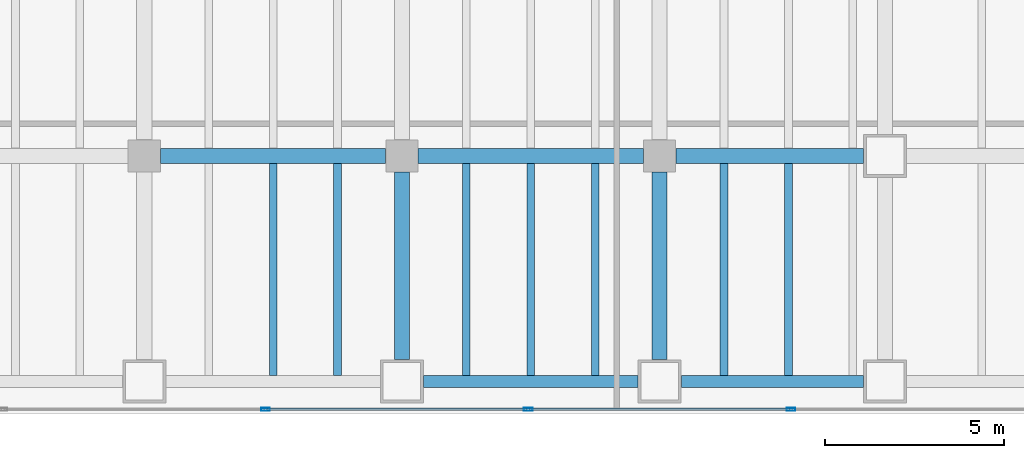
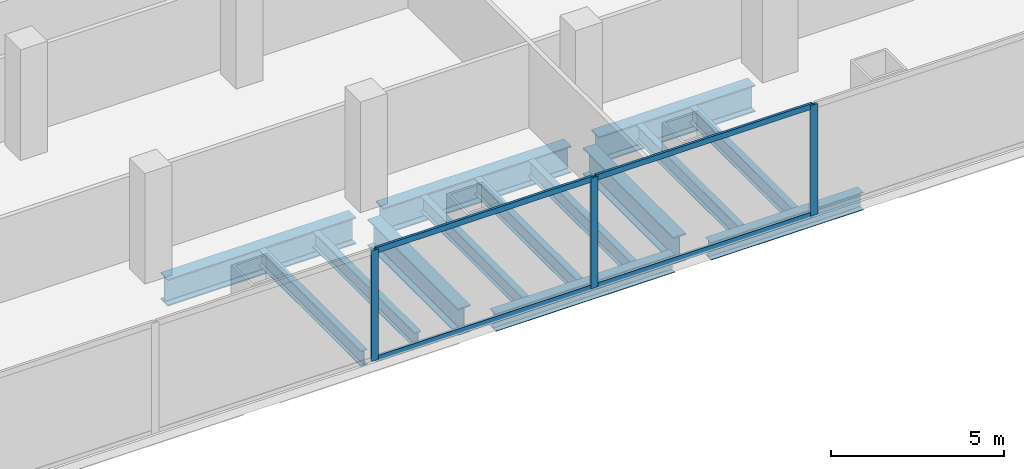
# One storey, part 5 of 29: 14 beams, 7 members, 1 element without a shape of its own.
"""IFC4 building model written with IfcOpenShell, lengths in metres."""

from ifc_helpers import new_model, si_unit, direction, frame, origin, origin_2d, place, context, subcontext, project, spatial, hollow_rectangle, i_section, extrude, material, material_profile, profile_set, type_object, element, aggregate, save


model = new_model("IFC4")

# Units and contexts
model_context = context("Model", 3, precision=1e-05, world=origin(), true_north=direction((0.0, 1.0)))
body_context = subcontext(model_context, "Body", "Model", "MODEL_VIEW")
ifc_project = project(units=[si_unit("LENGTHUNIT", "METRE"), si_unit("AREAUNIT", "SQUARE_METRE"), si_unit("VOLUMEUNIT", "CUBIC_METRE"), si_unit("PLANEANGLEUNIT", "RADIAN"), si_unit("MASSUNIT", "GRAM", prefix="KILO")], contexts=[model_context])

# Site, building, storey
site_placement = place(None, origin())
site = spatial("IfcSite", under=ifc_project, at=site_placement, CompositionType="ELEMENT")
building_placement = place(site_placement, origin())
building = spatial("IfcBuilding", under=site, at=building_placement, Name="Cobrela Telecom Tower", CompositionType="ELEMENT")
storey_placement = place(building_placement, frame((0.0, 0.0, 13.64990234375)))
storey = spatial("IfcBuildingStorey", under=building, at=storey_placement, Name="L03", CompositionType="ELEMENT", Elevation=13.64990234375)

# Beams
ifc_material_1 = material(Name="Steel ASTM A992 Grade 50", Category="steel")
ifc_material_profile_1 = material_profile(ifc_material_1, i_section(OverallWidth=0.424072265625, OverallDepth=0.947021484375, WebThickness=0.02392578125, FlangeThickness=0.042724609375, FilletRadius=0.02392578125, at=origin_2d()), Name="W36X302")
ifc_profile_set_1 = profile_set([ifc_material_profile_1], Name="Steel ASTM A992 Grade 50")
beam_type_1 = type_object("IfcBeamType", Name="BM-GIRD-01", PredefinedType="USERDEFINED", material=ifc_profile_set_1)
for number, where, z_axis, x_axis, name in (
    (1, (29.2548828125, 7.199951171875, -0.7734375), (1.0, 0.0, 0.0), (0.0, 1.0, 0.0), "L03 Primary Girder X13"),
    (2, (36.455078125, 7.199951171875, -0.7734375), (1.0, 0.0, 0.0), (0.0, 1.0, 0.0), "L03 Primary Girder X14"),
):
    element("IfcBeam", number, at=place(storey_placement, frame(where, z_axis=z_axis, x_axis=x_axis)), inside=storey, type_object=beam_type_1, Name=name, ObjectType="GIRDER", PredefinedType="USERDEFINED", context=body_context, shape_type="SweptSolid", body=[
        extrude(i_section(OverallWidth=0.424072265625, OverallDepth=0.947021484375, WebThickness=0.02392578125, FlangeThickness=0.042724609375, FilletRadius=0.02392578125, at=origin_2d()), origin(), (0.0, 0.0, 1.0), 6.2900390625),
    ])
beam_1_placement = place(storey_placement, frame((43.655029296875, 7.199951171875, -0.7734375), z_axis=(1.0, 0.0, 0.0), x_axis=(0.0, 1.0, 0.0)))
element("IfcBeam", 3, at=beam_1_placement, inside=storey, type_object=beam_type_1, Name="L03 Primary Girder X15", ObjectType="GIRDER", PredefinedType="USERDEFINED", context=body_context, shape_type="SweptSolid", body=[
    extrude(i_section(OverallWidth=0.424072265625, OverallDepth=0.947021484375, WebThickness=0.02392578125, FlangeThickness=0.042724609375, FilletRadius=0.02392578125, at=origin_2d()), origin(), (0.0, 0.0, 1.0), 5.239990234375),
])
for number, where, z_axis, x_axis, name in (
    (4, (36.0, 1.5048828125, -0.7734375), (0.0, 1.0, 0.0), (-1.0, 0.0, 0.0), "L03 Primary Girder Y71"),
    (5, (43.199951171875, 1.5048828125, -0.7734375), (0.0, 1.0, 0.0), (-1.0, 0.0, 0.0), "L03 Primary Girder Y78"),
):
    element("IfcBeam", number, at=place(storey_placement, frame(where, z_axis=z_axis, x_axis=x_axis)), inside=storey, type_object=beam_type_1, Name=name, ObjectType="GIRDER", PredefinedType="USERDEFINED", context=body_context, shape_type="SweptSolid", body=[
        extrude(i_section(OverallWidth=0.424072265625, OverallDepth=0.947021484375, WebThickness=0.02392578125, FlangeThickness=0.042724609375, FilletRadius=0.02392578125, at=origin_2d()), origin(), (0.0, 0.0, 1.0), 5.240234375),
    ])
ifc_material_profile_2 = material_profile(ifc_material_1, i_section(OverallWidth=0.212890625, OverallDepth=0.549072265625, WebThickness=0.0146484375, FlangeThickness=0.023681640625, FilletRadius=0.013916015625, at=origin_2d()), Name="W21X93")
ifc_profile_set_2 = profile_set([ifc_material_profile_2], Name="Steel ASTM A992 Grade 50")
beam_type_2 = type_object("IfcBeamType", Name="BM-JOIST-01", PredefinedType="JOIST", material=ifc_profile_set_2)
for number, where, z_axis, x_axis, name in (
    (6, (32.39990234375, 1.069091796875, -0.574462890625), (0.0, 1.0, 0.0), (-1.0, 0.0, 0.0), "L03 Secondary Composite Floor Beam J58"),
    (7, (34.199951171875, 1.069091796875, -0.574462890625), (0.0, 1.0, 0.0), (-1.0, 0.0, 0.0), "L03 Secondary Composite Floor Beam J63"),
    (8, (37.800048828125, 1.069091796875, -0.574462890625), (0.0, 1.0, 0.0), (-1.0, 0.0, 0.0), "L03 Secondary Composite Floor Beam J70"),
    (9, (39.60009765625, 1.069091796875, -0.574462890625), (0.0, 1.0, 0.0), (-1.0, 0.0, 0.0), "L03 Secondary Composite Floor Beam J77"),
    (10, (41.39990234375, 1.069091796875, -0.574462890625), (0.0, 1.0, 0.0), (-1.0, 0.0, 0.0), "L03 Secondary Composite Floor Beam J84"),
    (11, (45.0, 1.069091796875, -0.574462890625), (0.0, 1.0, 0.0), (-1.0, 0.0, 0.0), "L03 Secondary Composite Floor Beam J91"),
    (12, (46.800048828125, 1.069091796875, -0.574462890625), (0.0, 1.0, 0.0), (-1.0, 0.0, 0.0), "L03 Secondary Composite Floor Beam J94"),
):
    element("IfcBeam", number, at=place(storey_placement, frame(where, z_axis=z_axis, x_axis=x_axis)), inside=storey, type_object=beam_type_2, Name=name, PredefinedType="JOIST", context=body_context, shape_type="SweptSolid", body=[
        extrude(i_section(OverallWidth=0.212890625, OverallDepth=0.549072265625, WebThickness=0.0146484375, FlangeThickness=0.023681640625, FilletRadius=0.013916015625, at=origin_2d()), origin(), (0.0, 0.0, 1.0), 5.913818359375),
    ])
ifc_material_profile_3 = material_profile(ifc_material_1, i_section(OverallWidth=0.327880859375, OverallDepth=0.6220703125, WebThickness=0.015380859375, FlangeThickness=0.0244140625, FilletRadius=0.014892578125, at=origin_2d()), Name="W24X131")
ifc_profile_set_3 = profile_set([ifc_material_profile_3], Name="Steel ASTM A992 Grade 50")
beam_type_3 = type_object("IfcBeamType", Name="BM-SPAND-01", PredefinedType="SPANDREL", material=ifc_profile_set_3)
beam_2_placement = place(storey_placement, frame((36.60498046875, 0.89990234375, -0.61083984375), z_axis=(1.0, 0.0, 0.0), x_axis=(0.0, 1.0, 0.0)))
element("IfcBeam", 13, at=beam_2_placement, inside=storey, type_object=beam_type_3, Name="L03 Perimeter Spandrel X04", PredefinedType="SPANDREL", context=body_context, shape_type="SweptSolid", body=[
    extrude(i_section(OverallWidth=0.327880859375, OverallDepth=0.6220703125, WebThickness=0.015380859375, FlangeThickness=0.0244140625, FilletRadius=0.014892578125, at=origin_2d()), origin(), (0.0, 0.0, 1.0), 5.989990234375),
])
beam_3_placement = place(storey_placement, frame((43.804931640625, 0.89990234375, -0.61083984375), z_axis=(1.0, 0.0, 0.0), x_axis=(0.0, 1.0, 0.0)))
element("IfcBeam", 14, at=beam_3_placement, inside=storey, type_object=beam_type_3, Name="L03 Perimeter Spandrel X05", PredefinedType="SPANDREL", context=body_context, shape_type="SweptSolid", body=[
    extrude(i_section(OverallWidth=0.327880859375, OverallDepth=0.6220703125, WebThickness=0.015380859375, FlangeThickness=0.0244140625, FilletRadius=0.014892578125, at=origin_2d()), origin(), (0.0, 0.0, 1.0), 5.090087890625),
])

# Curtain wall, members
ifc_material_2 = material(Name="Anodized Bronze Aluminium 6063-T6", Category="aluminium")
curtain_wall_type = type_object("IfcCurtainWallType", Name="CW-SYS-CONC", PredefinedType="USERDEFINED", material=ifc_material_2)
curtain_wall_placement = place(storey_placement, origin())
curtain_wall = element("IfcCurtainWall", 15, at=curtain_wall_placement, inside=storey, type_object=curtain_wall_type, Name="L03 Unitised Bronze Curtain Wall 17", ObjectType="UNITISED CURTAIN WALL", PredefinedType="USERDEFINED")
ifc_material_profile_4 = material_profile(ifc_material_2, hollow_rectangle(XDim=0.080078125, YDim=0.239990234375, WallThickness=0.0048828125, at=origin_2d()), Name="ALU 80x240x5")
ifc_profile_set_4 = profile_set([ifc_material_profile_4], Name="Anodized Bronze Aluminium 6063-T6")
member_type_1 = type_object("IfcMemberType", Name="CW-SYS-CONC-MUL", PredefinedType="MULLION", material=ifc_profile_set_4)
member_1_placement = place(storey_placement, frame((46.870849609375, 0.1201171875, 0.0), z_axis=(0.0, 0.0, 1.0), x_axis=(0.0, -1.0, 0.0)))
member_1 = element("IfcMember", 16, at=member_1_placement, type_object=member_type_1, Name="CW-CONC mullion 6", PredefinedType="MULLION", context=body_context, shape_type="SweptSolid", body=[
    extrude(hollow_rectangle(XDim=0.080078125, YDim=0.239990234375, WallThickness=0.0048828125, at=origin_2d()), origin(), (0.0, 0.0, 1.0), 3.91015625),
])
member_2_placement = place(storey_placement, frame((39.529052734375, 0.1201171875, 0.0), z_axis=(0.0, 0.0, 1.0), x_axis=(0.0, -1.0, 0.0)))
member_2 = element("IfcMember", 17, at=member_2_placement, type_object=member_type_1, Name="CW-CONC mullion 7", PredefinedType="MULLION", context=body_context, shape_type="SweptSolid", body=[
    extrude(hollow_rectangle(XDim=0.080078125, YDim=0.239990234375, WallThickness=0.0048828125, at=origin_2d()), origin(), (0.0, 0.0, 1.0), 3.91015625),
])
member_3_placement = place(storey_placement, frame((32.187255859375, 0.1201171875, 0.0), z_axis=(0.0, 0.0, 1.0), x_axis=(0.0, -1.0, 0.0)))
member_3 = element("IfcMember", 18, at=member_3_placement, type_object=member_type_1, Name="CW-CONC mullion 8", PredefinedType="MULLION", context=body_context, shape_type="SweptSolid", body=[
    extrude(hollow_rectangle(XDim=0.080078125, YDim=0.239990234375, WallThickness=0.0048828125, at=origin_2d()), origin(), (0.0, 0.0, 1.0), 3.91015625),
])
ifc_material_profile_5 = material_profile(ifc_material_2, hollow_rectangle(XDim=0.080078125, YDim=0.199951171875, WallThickness=0.00390625, at=origin_2d()), Name="ALU 80x200x4")
ifc_profile_set_5 = profile_set([ifc_material_profile_5], Name="Anodized Bronze Aluminium 6063-T6")
member_type_2 = type_object("IfcMemberType", Name="CW-SYS-CONC-TRN", PredefinedType="USERDEFINED", material=ifc_profile_set_5)
member_4_placement = place(storey_placement, frame((46.830810546875, 0.1201171875, 0.0400390625), z_axis=(-1.0, 0.0, 0.0), x_axis=(0.0, -1.0, 0.0)))
member_4 = element("IfcMember", 19, at=member_4_placement, type_object=member_type_2, Name="CW-CONC transom 6.1", ObjectType="TRANSOM", PredefinedType="USERDEFINED", context=body_context, shape_type="SweptSolid", body=[
    extrude(hollow_rectangle(XDim=0.080078125, YDim=0.199951171875, WallThickness=0.00390625, at=origin_2d()), origin(), (0.0, 0.0, 1.0), 7.26171875),
])
member_5_placement = place(storey_placement, frame((46.830810546875, 0.1201171875, 3.8701171875), z_axis=(-1.0, 0.0, 0.0), x_axis=(0.0, -1.0, 0.0)))
member_5 = element("IfcMember", 20, at=member_5_placement, type_object=member_type_2, Name="CW-CONC transom 6.2", ObjectType="TRANSOM", PredefinedType="USERDEFINED", context=body_context, shape_type="SweptSolid", body=[
    extrude(hollow_rectangle(XDim=0.080078125, YDim=0.199951171875, WallThickness=0.00390625, at=origin_2d()), origin(), (0.0, 0.0, 1.0), 7.26171875),
])
member_6_placement = place(storey_placement, frame((39.489013671875, 0.1201171875, 0.0400390625), z_axis=(-1.0, 0.0, 0.0), x_axis=(0.0, -1.0, 0.0)))
member_6 = element("IfcMember", 21, at=member_6_placement, type_object=member_type_2, Name="CW-CONC transom 7.1", ObjectType="TRANSOM", PredefinedType="USERDEFINED", context=body_context, shape_type="SweptSolid", body=[
    extrude(hollow_rectangle(XDim=0.080078125, YDim=0.199951171875, WallThickness=0.00390625, at=origin_2d()), origin(), (0.0, 0.0, 1.0), 7.26171875),
])
member_7_placement = place(storey_placement, frame((39.489013671875, 0.1201171875, 3.8701171875), z_axis=(-1.0, 0.0, 0.0), x_axis=(0.0, -1.0, 0.0)))
member_7 = element("IfcMember", 22, at=member_7_placement, type_object=member_type_2, Name="CW-CONC transom 7.2", ObjectType="TRANSOM", PredefinedType="USERDEFINED", context=body_context, shape_type="SweptSolid", body=[
    extrude(hollow_rectangle(XDim=0.080078125, YDim=0.199951171875, WallThickness=0.00390625, at=origin_2d()), origin(), (0.0, 0.0, 1.0), 7.26171875),
])
aggregate(curtain_wall, [member_1, member_2, member_3, member_4, member_5, member_6, member_7])

save(model, "model.ifc")
